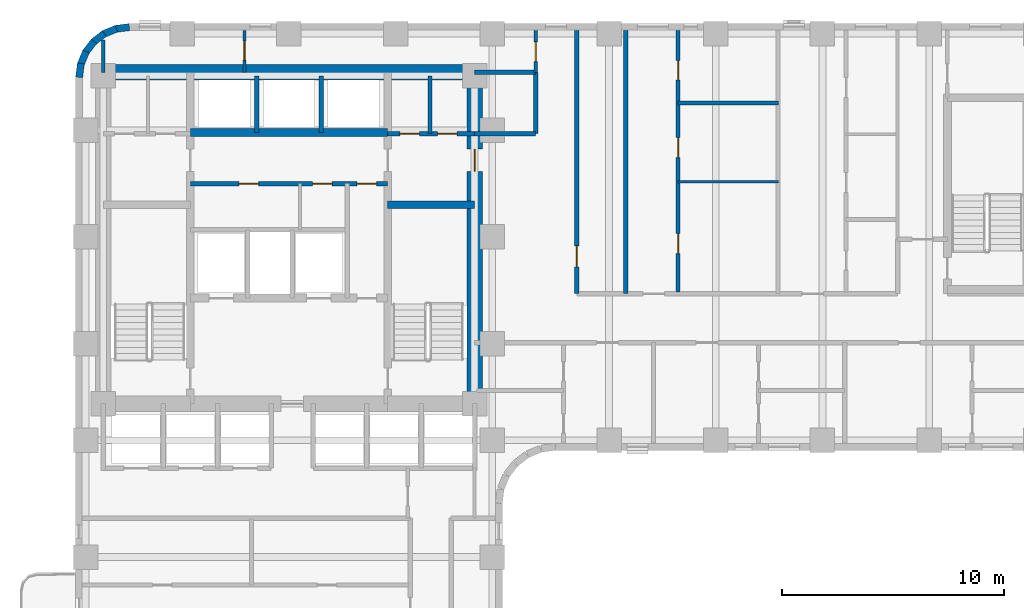
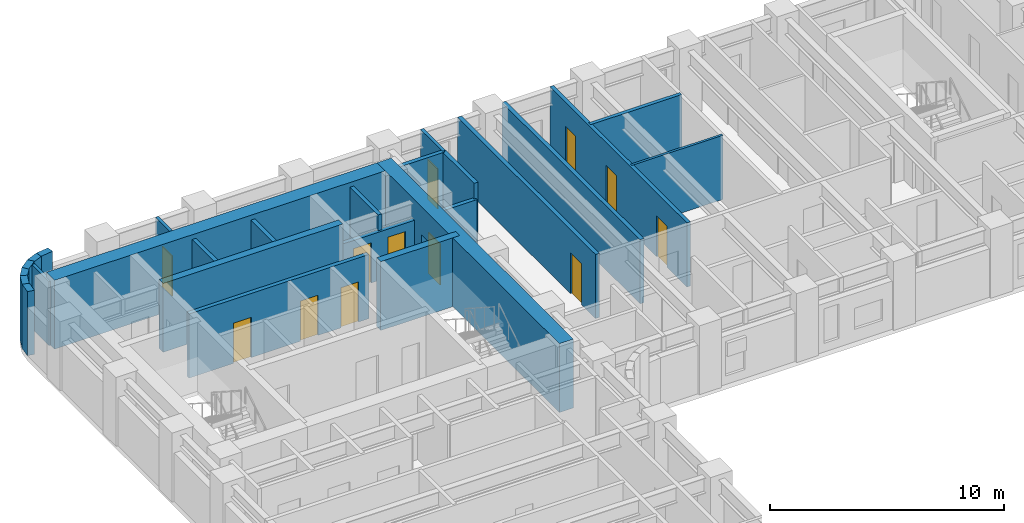
# One storey, part 6 of 11: 26 walls, 12 doors, 12 openings.
"""IFC4 building model written with IfcOpenShell, lengths in metres."""

from ifc_helpers import new_model, si_unit, direction, frame, frame_2d, origin, place, context, subcontext, project, spatial, rectangle, extrude, material, layer, layer_set, type_object, element, fill, save


model = new_model("IFC4")

# Units and contexts
model_context = context("Model", 3, precision=1e-05, world=origin(), true_north=direction((0.0, 1.0)))
body_context = subcontext(model_context, "Body", "Model", "MODEL_VIEW")
ifc_project = project(units=[si_unit("LENGTHUNIT", "METRE"), si_unit("AREAUNIT", "SQUARE_METRE"), si_unit("VOLUMEUNIT", "CUBIC_METRE"), si_unit("PLANEANGLEUNIT", "RADIAN"), si_unit("MASSUNIT", "GRAM", prefix="KILO")], contexts=[model_context])

# Site, building, storey
site_placement = place(None, origin())
site = spatial("IfcSite", under=ifc_project, at=site_placement, CompositionType="ELEMENT")
building_placement = place(site_placement, origin())
building = spatial("IfcBuilding", under=site, at=building_placement, Name="Orvandelia Arch Residences", CompositionType="ELEMENT")
storey_placement = place(building_placement, frame((0.0, 0.0, 86.199951171875)))
storey = spatial("IfcBuildingStorey", under=building, at=storey_placement, Name="L22", CompositionType="ELEMENT", Elevation=86.199951171875)

# Walls
ifc_material_1 = material(Name="Concrete C50/60", Category="concrete")
ifc_layer_1 = layer(ifc_material_1, 0.35009765625, Name="Concrete C50/60", Category="concrete")
ifc_layer_set_1 = layer_set([ifc_layer_1], Name="Concrete C50/60")
wall_type_1 = type_object("IfcWallType", Name="WL-CORE-350", PredefinedType="SHEAR", material=ifc_layer_set_1)
wall_1_placement = place(storey_placement, frame((18.840087890625, 39.85009765625, 0.0), z_axis=(0.0, 0.0, 1.0), x_axis=(1.0, 0.0, 0.0)))
element("IfcWall", 1, at=wall_1_placement, inside=storey, type_object=wall_type_1, Name="Core Shear Wall L22-HZ2", PredefinedType="SHEAR", context=body_context, shape_type="SweptSolid", body=[
    extrude(rectangle(XDim=3.909912109375, YDim=0.35009765625, at=frame_2d((1.955078125, 0.0))), origin(), (0.0, 0.0, 1.0), 3.60009765625),
])
wall_2_placement = place(storey_placement, frame((9.9599609375, 43.10009765625, 0.0), z_axis=(0.0, 0.0, 1.0), x_axis=(1.0, 0.0, 0.0)))
element("IfcWall", 2, at=wall_2_placement, inside=storey, type_object=wall_type_1, Name="Core Shear Wall L22-HZ4", PredefinedType="SHEAR", context=body_context, shape_type="SweptSolid", body=[
    extrude(rectangle(XDim=8.880126953125, YDim=0.35009765625, at=frame_2d((4.43994140625, 0.0))), origin(), (0.0, 0.0, 1.0), 3.60009765625),
])

# Wall, opening, door
ifc_material_2 = material(Name="Concrete C80/95", Category="concrete")
ifc_layer_2 = layer(ifc_material_2, 0.699951171875, Name="Concrete C80/95", Category="concrete")
ifc_layer_set_2 = layer_set([ifc_layer_2], Name="Concrete C80/95")
wall_type_2 = type_object("IfcWallType", Name="WL-CORE-700", PredefinedType="SHEAR", material=ifc_layer_set_2)
wall_3_placement = place(storey_placement, frame((22.75, 30.550048828125, 0.0), z_axis=(0.0, 0.0, 1.0), x_axis=(0.0, 1.0, 0.0)))
wall_3 = element("IfcWall", 3, at=wall_3_placement, inside=storey, type_object=wall_type_2, Name="Core Shear Wall L22-E", PredefinedType="SHEAR", context=body_context, shape_type="SweptSolid", body=[
    extrude(rectangle(XDim=15.599853515625, YDim=0.699951171875, at=frame_2d((7.7998046875, 0.0))), origin(), (0.0, 0.0, 1.0), 3.60009765625),
])
opening_1_placement = place(wall_3_placement, frame((10.800048828125, 0.0, 0.0)))
opening_1 = element("IfcOpeningElement", 4, at=opening_1_placement, cuts=wall_3, Name="Opening D6", PredefinedType="OPENING", context=body_context, shape_type="SweptSolid", body=[
    extrude(rectangle(XDim=1.0, YDim=2.14990234375, at=frame_2d((0.5, 1.074951171875))), frame((0.0, 0.35986328125, 0.0), z_axis=(0.0, -1.0, 0.0), x_axis=(1.0, 0.0, 0.0)), (0.0, 0.0, 1.0), 0.719970703125),
])
ifc_material_3 = material(Name="Smokeproof Painted Steel Fire Door", Category="steel")
door_type_1 = type_object("IfcDoorType", Name="DR-FD60-1000", OperationType="NOTDEFINED", PredefinedType="DOOR", material=ifc_material_3)
door_1_placement = place(opening_1_placement, origin())
door_1 = element("IfcDoor", 5, at=door_1_placement, inside=storey, type_object=door_type_1, Name="Core East Corridor Link Door L22", OperationType="SINGLE_SWING_LEFT", OverallHeight=2.14990234375, OverallWidth=1.0, PredefinedType="DOOR", context=body_context, shape_type="SweptSolid", body=[
    extrude(rectangle(XDim=1.0, YDim=2.14990234375, at=frame_2d((0.5, 1.074951171875))), frame((0.0, 0.02490234375, 0.0), z_axis=(0.0, -1.0, 0.0), x_axis=(1.0, 0.0, 0.0)), (0.0, 0.0, 1.0), 0.050048828125),
])
fill(opening_1, door_1)

# Walls
wall_4_placement = place(storey_placement, frame((6.050048828125, 45.800048828125, 0.0), z_axis=(0.0, 0.0, 1.0), x_axis=(1.0, 0.0, 0.0)))
element("IfcWall", 6, at=wall_4_placement, inside=storey, type_object=wall_type_2, Name="Core Shear Wall L22-N", PredefinedType="SHEAR", context=body_context, shape_type="SweptSolid", body=[
    extrude(rectangle(XDim=16.699951171875, YDim=0.699951171875, at=frame_2d((8.35009765625, 0.0))), origin(), (0.0, 0.0, 1.0), 3.60009765625),
])
ifc_material_4 = material(Name="Fire-Rated Corridor Partition")
ifc_layer_3 = layer(ifc_material_4, 0.199951171875, Name="Fire-Rated Corridor Partition")
ifc_layer_set_3 = layer_set([ifc_layer_3], Name="Fire-Rated Corridor Partition")
wall_type_3 = type_object("IfcWallType", Name="WL-CORR-200", PredefinedType="PARTITIONING", material=ifc_layer_set_3)
wall_5_placement = place(storey_placement, frame((22.75, 45.800048828125, 0.0), z_axis=(0.0, 0.0, 1.0), x_axis=(1.0, 0.0, 0.0)))
element("IfcWall", 7, at=wall_5_placement, inside=storey, type_object=wall_type_3, Name="Interior Partition Wall WL-L22-NCE-S", PredefinedType="PARTITIONING", context=body_context, shape_type="SweptSolid", body=[
    extrude(rectangle(XDim=2.75, YDim=0.199951171875, at=frame_2d((1.375, 0.0))), origin(), (0.0, 0.0, 1.0), 3.35009765625),
])

# Wall, opening, door
wall_6_placement = place(storey_placement, frame((27.35009765625, 35.85009765625, 0.0), z_axis=(0.0, 0.0, 1.0), x_axis=(0.0, 1.0, 0.0)))
wall_6 = element("IfcWall", 8, at=wall_6_placement, inside=storey, type_object=wall_type_3, Name="Interior Partition Wall WL-L22-ES-NCE", PredefinedType="PARTITIONING", context=body_context, shape_type="SweptSolid", body=[
    extrude(rectangle(XDim=11.829833984375, YDim=0.199951171875, at=frame_2d((5.9150390625, 0.0))), origin(), (0.0, 0.0, 1.0), 3.35009765625),
])
opening_2_placement = place(wall_6_placement, frame((1.199951171875, 0.0, 0.0)))
opening_2 = element("IfcOpeningElement", 9, at=opening_2_placement, cuts=wall_6, Name="Opening D2", PredefinedType="OPENING", context=body_context, shape_type="SweptSolid", body=[
    extrude(rectangle(XDim=0.949951171875, YDim=2.14990234375, at=frame_2d((0.47509765625, 1.074951171875))), frame((0.0, 0.10986328125, 0.0), z_axis=(0.0, -1.0, 0.0), x_axis=(1.0, 0.0, 0.0)), (0.0, 0.0, 1.0), 0.219970703125),
])
ifc_material_5 = material(Name="Solid-Core Timber Interior Fire Door", Category="wood")
door_type_2 = type_object("IfcDoorType", Name="DR-APT-950", OperationType="NOTDEFINED", PredefinedType="DOOR", material=ifc_material_5)
door_2_placement = place(opening_2_placement, origin())
door_2 = element("IfcDoor", 10, at=door_2_placement, inside=storey, type_object=door_type_2, Name="DR-L22-ESLDY", OperationType="SINGLE_SWING_RIGHT", OverallHeight=2.14990234375, OverallWidth=0.949951171875, PredefinedType="DOOR", context=body_context, shape_type="SweptSolid", body=[
    extrude(rectangle(XDim=0.949951171875, YDim=2.14990234375, at=frame_2d((0.47509765625, 1.074951171875))), frame((0.0, 0.02490234375, 0.0), z_axis=(0.0, -1.0, 0.0), x_axis=(1.0, 0.0, 0.0)), (0.0, 0.0, 1.0), 0.050048828125),
])
fill(opening_2, door_2)

# Walls
wall_7_placement = place(storey_placement, frame((22.75, 43.050048828125, 0.0), z_axis=(0.0, 0.0, 1.0), x_axis=(1.0, 0.0, 0.0)))
element("IfcWall", 11, at=wall_7_placement, inside=storey, type_object=wall_type_3, Name="Interior Partition Wall WL-L22-ES-LS", PredefinedType="PARTITIONING", context=body_context, shape_type="SweptSolid", body=[
    extrude(rectangle(XDim=2.75, YDim=0.199951171875, at=frame_2d((1.375, 0.0))), origin(), (0.0, 0.0, 1.0), 2.530029296875),
])
wall_8_placement = place(storey_placement, frame((25.5, 43.050048828125, 0.0), z_axis=(0.0, 0.0, 1.0), x_axis=(0.0, 1.0, 0.0)))
element("IfcWall", 12, at=wall_8_placement, inside=storey, type_object=wall_type_3, Name="Interior Partition Wall WL-L22-ES-LW2", PredefinedType="PARTITIONING", context=body_context, shape_type="SweptSolid", body=[
    extrude(rectangle(XDim=2.75, YDim=0.199951171875, at=frame_2d((1.375, 0.0))), origin(), (0.0, 0.0, 1.0), 3.35009765625),
])
ifc_material_6 = material(Name="Concrete C40/50", Category="concrete")
ifc_layer_4 = layer(ifc_material_6, 0.199951171875, Name="Concrete C40/50", Category="concrete")
ifc_layer_set_4 = layer_set([ifc_layer_4], Name="Concrete C40/50")
wall_type_4 = type_object("IfcWallType", Name="WL-DEM-200", PredefinedType="SOLIDWALL", material=ifc_layer_set_4)
wall_9_placement = place(storey_placement, frame((29.550048828125, 35.85009765625, 0.0), z_axis=(0.0, 0.0, 1.0), x_axis=(0.0, 1.0, 0.0)))
element("IfcWall", 13, at=wall_9_placement, inside=storey, type_object=wall_type_4, Name="Interior Partition Wall WL-L22-ES-LDE", PredefinedType="SOLIDWALL", context=body_context, shape_type="SweptSolid", body=[
    extrude(rectangle(XDim=11.829833984375, YDim=0.199951171875, at=frame_2d((5.9150390625, 0.0))), origin(), (0.0, 0.0, 1.0), 3.35009765625),
])
ifc_material_7 = material(Name="Precast concrete C40/50", Category="concrete")
ifc_layer_5 = layer(ifc_material_7, 0.320068359375, Name="Precast concrete C40/50", Category="concrete")
ifc_layer_set_5 = layer_set([ifc_layer_5], Name="Precast concrete C40/50")
wall_type_5 = type_object("IfcWallType", Name="WL-EXT-STONE-320", PredefinedType="STANDARD", material=ifc_layer_set_5)
for number, where, z_axis, x_axis, name in (
    (14, (4.95849609375, 45.5791015625, 0.0), (0.0, 0.0, 1.0), (0.130555323746, 0.9914410257, 0.0), "Coral-Limestone Precast Facade Wall L22-001"),
    (15, (5.029541015625, 46.159912109375, 0.0), (0.0, 0.0, 1.0), (0.382650053678, 0.92389335771, 0.0), "Coral-Limestone Precast Facade Wall L22-002"),
):
    element("IfcWall", number, at=place(storey_placement, frame(where, z_axis=z_axis, x_axis=x_axis)), inside=storey, type_object=wall_type_5, Name=name, PredefinedType="STANDARD", context=body_context, shape_type="SweptSolid", body=[
        extrude(rectangle(XDim=0.62646484375, YDim=0.320068359375, at=frame_2d((0.313232421875, 0.0))), origin(), (0.0, 0.0, 1.0), 3.35009765625),
    ])
wall_10_placement = place(storey_placement, frame((5.248291015625, 46.70263671875, 0.0), z_axis=(0.0, 0.0, 1.0), x_axis=(0.608938521285, 0.7932174212, 0.0)))
element("IfcWall", 16, at=wall_10_placement, inside=storey, type_object=wall_type_5, Name="Coral-Limestone Precast Facade Wall L22-003", PredefinedType="STANDARD", context=body_context, shape_type="SweptSolid", body=[
    extrude(rectangle(XDim=0.626708984375, YDim=0.320068359375, at=frame_2d((0.3134765625, 0.0))), origin(), (0.0, 0.0, 1.0), 3.35009765625),
])
wall_11_placement = place(storey_placement, frame((5.600341796875, 47.170166015625, 0.0), z_axis=(0.0, 0.0, 1.0), x_axis=(0.793405610854, 0.608693302629, 0.0)))
element("IfcWall", 17, at=wall_11_placement, inside=storey, type_object=wall_type_5, Name="Coral-Limestone Precast Facade Wall L22-004", PredefinedType="STANDARD", context=body_context, shape_type="SweptSolid", body=[
    extrude(rectangle(XDim=0.62646484375, YDim=0.320068359375, at=frame_2d((0.313232421875, 0.0))), origin(), (0.0, 0.0, 1.0), 3.35009765625),
])
wall_12_placement = place(storey_placement, frame((6.061279296875, 47.53076171875, 0.0), z_axis=(0.0, 0.0, 1.0), x_axis=(0.923836271867, 0.382787856107, 0.0)))
element("IfcWall", 18, at=wall_12_placement, inside=storey, type_object=wall_type_5, Name="Coral-Limestone Precast Facade Wall L22-005", PredefinedType="STANDARD", context=body_context, shape_type="SweptSolid", body=[
    extrude(rectangle(XDim=0.626220703125, YDim=0.320068359375, at=frame_2d((0.31298828125, 0.0))), origin(), (0.0, 0.0, 1.0), 3.35009765625),
])
wall_13_placement = place(storey_placement, frame((6.599609375, 47.759521484375, 0.0), z_axis=(0.0, 0.0, 1.0), x_axis=(0.991447664465, 0.130504898859, 0.0)))
element("IfcWall", 19, at=wall_13_placement, inside=storey, type_object=wall_type_5, Name="Coral-Limestone Precast Facade Wall L22-006", PredefinedType="STANDARD", context=body_context, shape_type="SweptSolid", body=[
    extrude(rectangle(XDim=0.626708984375, YDim=0.320068359375, at=frame_2d((0.3134765625, 0.0))), origin(), (0.0, 0.0, 1.0), 3.35009765625),
])
ifc_material_8 = material(Name="Lightweight Gypsum Stud Partition")
ifc_layer_6 = layer(ifc_material_8, 0.1201171875, Name="Lightweight Gypsum Stud Partition")
ifc_layer_set_6 = layer_set([ifc_layer_6], Name="Lightweight Gypsum Stud Partition")
wall_type_6 = type_object("IfcWallType", Name="WL-PART-120", PredefinedType="PARTITIONING", material=ifc_layer_set_6)
wall_14_placement = place(storey_placement, frame((31.909912109375, 40.889892578125, 0.0), z_axis=(0.0, 0.0, 1.0), x_axis=(1.0, 0.0, 0.0)))
element("IfcWall", 20, at=wall_14_placement, inside=storey, type_object=wall_type_6, Name="Interior Partition Wall WL-L22-U09-H1", PredefinedType="PARTITIONING", context=body_context, shape_type="SweptSolid", body=[
    extrude(rectangle(XDim=4.510009765625, YDim=0.1201171875, at=frame_2d((2.2548828125, 0.0))), origin(), (0.0, 0.0, 1.0), 3.35009765625),
])

# Wall, opening, door
ifc_material_9 = material(Name="Acoustic Gypsum Stud Partition")
ifc_layer_7 = layer(ifc_material_9, 0.14990234375, Name="Acoustic Gypsum Stud Partition")
ifc_layer_set_7 = layer_set([ifc_layer_7], Name="Acoustic Gypsum Stud Partition")
wall_type_7 = type_object("IfcWallType", Name="WL-PART-150", PredefinedType="PARTITIONING", material=ifc_layer_set_7)
wall_15_placement = place(storey_placement, frame((25.5, 45.800048828125, 0.0), z_axis=(0.0, 0.0, 1.0), x_axis=(0.0, 1.0, 0.0)))
wall_15 = element("IfcWall", 21, at=wall_15_placement, inside=storey, type_object=wall_type_7, Name="Interior Partition Wall WL-L22-NCE-W", PredefinedType="PARTITIONING", context=body_context, shape_type="SweptSolid", body=[
    extrude(rectangle(XDim=1.8798828125, YDim=0.14990234375, at=frame_2d((0.93994140625, 0.0))), origin(), (0.0, 0.0, 1.0), 3.35009765625),
])
opening_3_placement = place(wall_15_placement, frame((0.5, 0.0, 0.0)))
opening_3 = element("IfcOpeningElement", 22, at=opening_3_placement, cuts=wall_15, Name="Opening D5", PredefinedType="OPENING", context=body_context, shape_type="SweptSolid", body=[
    extrude(rectangle(XDim=0.8798828125, YDim=2.10009765625, at=frame_2d((0.43994140625, 1.050048828125))), frame((0.0, 0.0849609375, 0.0), z_axis=(0.0, -1.0, 0.0), x_axis=(1.0, 0.0, 0.0)), (0.0, 0.0, 1.0), 0.169921875),
])
ifc_material_10 = material(Name="Painted Galvanised Steel Service Door", Category="steel")
door_type_3 = type_object("IfcDoorType", Name="DR-SRV-880", OperationType="NOTDEFINED", PredefinedType="DOOR", material=ifc_material_10)
door_3_placement = place(opening_3_placement, origin())
door_3 = element("IfcDoor", 23, at=door_3_placement, inside=storey, type_object=door_type_3, Name="DR-L22-NCS2", OperationType="SINGLE_SWING_LEFT", OverallHeight=2.10009765625, OverallWidth=0.8798828125, PredefinedType="DOOR", context=body_context, shape_type="SweptSolid", body=[
    extrude(rectangle(XDim=0.8798828125, YDim=2.10009765625, at=frame_2d((0.43994140625, 1.050048828125))), frame((0.0, 0.02490234375, 0.0), z_axis=(0.0, -1.0, 0.0), x_axis=(1.0, 0.0, 0.0)), (0.0, 0.0, 1.0), 0.050048828125),
])
fill(opening_3, door_3)

# Wall
wall_16_placement = place(storey_placement, frame((6.050048828125, 45.800048828125, 0.0), z_axis=(0.0, 0.0, 1.0), x_axis=(0.0, 1.0, 0.0)))
element("IfcWall", 24, at=wall_16_placement, inside=storey, type_object=wall_type_7, Name="Interior Partition Wall WL-L22-NC-W6", PredefinedType="PARTITIONING", context=body_context, shape_type="SweptSolid", body=[
    extrude(rectangle(XDim=1.4599609375, YDim=0.14990234375, at=frame_2d((0.72998046875, 0.0))), origin(), (0.0, 0.0, 1.0), 3.35009765625),
])

# Wall, opening, door
wall_17_placement = place(storey_placement, frame((12.39990234375, 45.800048828125, 0.0), z_axis=(0.0, 0.0, 1.0), x_axis=(0.0, 1.0, 0.0)))
wall_17 = element("IfcWall", 25, at=wall_17_placement, inside=storey, type_object=wall_type_7, Name="Interior Partition Wall WL-L22-NC-M", PredefinedType="PARTITIONING", context=body_context, shape_type="SweptSolid", body=[
    extrude(rectangle(XDim=1.8798828125, YDim=0.14990234375, at=frame_2d((0.93994140625, 0.0))), origin(), (0.0, 0.0, 1.0), 3.35009765625),
])
opening_4_placement = place(wall_17_placement, frame((0.550048828125, 0.0, 0.0)))
opening_4 = element("IfcOpeningElement", 26, at=opening_4_placement, cuts=wall_17, Name="Opening D4", PredefinedType="OPENING", context=body_context, shape_type="SweptSolid", body=[
    extrude(rectangle(XDim=0.860107421875, YDim=2.10009765625, at=frame_2d((0.43017578125, 1.050048828125))), frame((0.0, 0.0849609375, 0.0), z_axis=(0.0, -1.0, 0.0), x_axis=(1.0, 0.0, 0.0)), (0.0, 0.0, 1.0), 0.169921875),
])
ifc_material_11 = material(Name="Moisture-Sealed Timber Bathroom Door", Category="wood")
door_type_4 = type_object("IfcDoorType", Name="DR-WET-900", OperationType="NOTDEFINED", PredefinedType="DOOR", material=ifc_material_11)
door_4_placement = place(opening_4_placement, origin())
door_4 = element("IfcDoor", 27, at=door_4_placement, inside=storey, type_object=door_type_4, Name="DR-L22-NCS1", OperationType="SINGLE_SWING_LEFT", OverallHeight=2.10009765625, OverallWidth=0.860107421875, PredefinedType="DOOR", context=body_context, shape_type="SweptSolid", body=[
    extrude(rectangle(XDim=0.860107421875, YDim=2.10009765625, at=frame_2d((0.43017578125, 1.050048828125))), frame((0.0, 0.02490234375, 0.0), z_axis=(0.0, -1.0, 0.0), x_axis=(1.0, 0.0, 0.0)), (0.0, 0.0, 1.0), 0.050048828125),
])
fill(opening_4, door_4)

# Wall, openings, doors
ifc_material_12 = material(Name="Fire-Rated Shaft Enclosure Wall")
ifc_layer_8 = layer(ifc_material_12, 0.199951171875, Name="Fire-Rated Shaft Enclosure Wall")
ifc_layer_set_8 = layer_set([ifc_layer_8], Name="Fire-Rated Shaft Enclosure Wall")
wall_type_8 = type_object("IfcWallType", Name="WL-SHAFT-200", PredefinedType="POLYGONAL", material=ifc_layer_set_8)
wall_18_placement = place(storey_placement, frame((9.9599609375, 40.800048828125, 0.0), z_axis=(0.0, 0.0, 1.0), x_axis=(1.0, 0.0, 0.0)))
wall_18 = element("IfcWall", 28, at=wall_18_placement, inside=storey, type_object=wall_type_8, Name="Interior Partition Wall WL-L22-HLH-S", PredefinedType="POLYGONAL", context=body_context, shape_type="SweptSolid", body=[
    extrude(rectangle(XDim=8.880126953125, YDim=0.199951171875, at=frame_2d((4.43994140625, 0.0))), origin(), (0.0, 0.0, 1.0), 3.35009765625),
])
opening_5_placement = place(wall_18_placement, frame((7.5, 0.0, 0.0)))
opening_5 = element("IfcOpeningElement", 29, at=opening_5_placement, cuts=wall_18, Name="Opening D5", PredefinedType="OPENING", context=body_context, shape_type="SweptSolid", body=[
    extrude(rectangle(XDim=0.8798828125, YDim=2.10009765625, at=frame_2d((0.43994140625, 1.050048828125))), frame((0.0, 0.10986328125, 0.0), z_axis=(0.0, -1.0, 0.0), x_axis=(1.0, 0.0, 0.0)), (0.0, 0.0, 1.0), 0.219970703125),
])
opening_6_placement = place(wall_18_placement, frame((2.199951171875, 0.0, 0.0)))
opening_6 = element("IfcOpeningElement", 30, at=opening_6_placement, cuts=wall_18, Name="Opening D5", PredefinedType="OPENING", context=body_context, shape_type="SweptSolid", body=[
    extrude(rectangle(XDim=0.8798828125, YDim=2.10009765625, at=frame_2d((0.43994140625, 1.050048828125))), frame((0.0, 0.10986328125, 0.0), z_axis=(0.0, -1.0, 0.0), x_axis=(1.0, 0.0, 0.0)), (0.0, 0.0, 1.0), 0.219970703125),
])
opening_7_placement = place(wall_18_placement, frame((5.5, 0.0, 0.0)))
opening_7 = element("IfcOpeningElement", 31, at=opening_7_placement, cuts=wall_18, Name="Opening D5", PredefinedType="OPENING", context=body_context, shape_type="SweptSolid", body=[
    extrude(rectangle(XDim=0.8798828125, YDim=2.10009765625, at=frame_2d((0.43994140625, 1.050048828125))), frame((0.0, 0.10986328125, 0.0), z_axis=(0.0, -1.0, 0.0), x_axis=(1.0, 0.0, 0.0)), (0.0, 0.0, 1.0), 0.219970703125),
])
door_5_placement = place(opening_5_placement, origin())
door_5 = element("IfcDoor", 32, at=door_5_placement, inside=storey, type_object=door_type_3, Name="Core Stairway Passage North Fire Door L22", OperationType="SINGLE_SWING_RIGHT", OverallHeight=2.10009765625, OverallWidth=0.8798828125, PredefinedType="DOOR", context=body_context, shape_type="SweptSolid", body=[
    extrude(rectangle(XDim=0.8798828125, YDim=2.10009765625, at=frame_2d((0.43994140625, 1.050048828125))), frame((0.0, 0.02490234375, 0.0), z_axis=(0.0, -1.0, 0.0), x_axis=(1.0, 0.0, 0.0)), (0.0, 0.0, 1.0), 0.050048828125),
])
fill(opening_5, door_5)
door_6_placement = place(opening_6_placement, origin())
door_6 = element("IfcDoor", 33, at=door_6_placement, inside=storey, type_object=door_type_3, Name="DR-L22-CSA1", OperationType="SINGLE_SWING_RIGHT", OverallHeight=2.10009765625, OverallWidth=0.8798828125, PredefinedType="DOOR", context=body_context, shape_type="SweptSolid", body=[
    extrude(rectangle(XDim=0.8798828125, YDim=2.10009765625, at=frame_2d((0.43994140625, 1.050048828125))), frame((0.0, 0.02490234375, 0.0), z_axis=(0.0, -1.0, 0.0), x_axis=(1.0, 0.0, 0.0)), (0.0, 0.0, 1.0), 0.050048828125),
])
fill(opening_6, door_6)
door_7_placement = place(opening_7_placement, origin())
door_7 = element("IfcDoor", 34, at=door_7_placement, inside=storey, type_object=door_type_3, Name="DR-L22-CSA2", OperationType="SINGLE_SWING_LEFT", OverallHeight=2.10009765625, OverallWidth=0.8798828125, PredefinedType="DOOR", context=body_context, shape_type="SweptSolid", body=[
    extrude(rectangle(XDim=0.8798828125, YDim=2.10009765625, at=frame_2d((0.43994140625, 1.050048828125))), frame((0.0, 0.02490234375, 0.0), z_axis=(0.0, -1.0, 0.0), x_axis=(1.0, 0.0, 0.0)), (0.0, 0.0, 1.0), 0.050048828125),
])
fill(opening_7, door_7)

wall_19_placement = place(storey_placement, frame((18.840087890625, 43.050048828125, 0.0), z_axis=(0.0, 0.0, 1.0), x_axis=(1.0, 0.0, 0.0)))
wall_19 = element("IfcWall", 35, at=wall_19_placement, inside=storey, type_object=wall_type_8, Name="Interior Partition Wall WL-L22-HLE-N", PredefinedType="POLYGONAL", context=body_context, shape_type="SweptSolid", body=[
    extrude(rectangle(XDim=3.909912109375, YDim=0.199951171875, at=frame_2d((1.955078125, 0.0))), origin(), (0.0, 0.0, 1.0), 2.530029296875),
])
opening_8_placement = place(wall_19_placement, frame((0.550048828125, 0.0, 0.0)))
opening_8 = element("IfcOpeningElement", 36, at=opening_8_placement, cuts=wall_19, Name="Opening D5", PredefinedType="OPENING", context=body_context, shape_type="SweptSolid", body=[
    extrude(rectangle(XDim=0.8798828125, YDim=2.10009765625, at=frame_2d((0.43994140625, 1.050048828125))), frame((0.0, 0.10986328125, 0.0), z_axis=(0.0, -1.0, 0.0), x_axis=(1.0, 0.0, 0.0)), (0.0, 0.0, 1.0), 0.219970703125),
])
opening_9_placement = place(wall_19_placement, frame((2.25, 0.0, 0.0)))
opening_9 = element("IfcOpeningElement", 37, at=opening_9_placement, cuts=wall_19, Name="Opening D4", PredefinedType="OPENING", context=body_context, shape_type="SweptSolid", body=[
    extrude(rectangle(XDim=0.860107421875, YDim=2.10009765625, at=frame_2d((0.43017578125, 1.050048828125))), frame((0.0, 0.10986328125, 0.0), z_axis=(0.0, -1.0, 0.0), x_axis=(1.0, 0.0, 0.0)), (0.0, 0.0, 1.0), 0.219970703125),
])
door_8_placement = place(opening_8_placement, origin())
door_8 = element("IfcDoor", 38, at=door_8_placement, inside=storey, type_object=door_type_3, Name="DR-L22-CSB1", OperationType="SINGLE_SWING_LEFT", OverallHeight=2.10009765625, OverallWidth=0.8798828125, PredefinedType="DOOR", context=body_context, shape_type="SweptSolid", body=[
    extrude(rectangle(XDim=0.8798828125, YDim=2.10009765625, at=frame_2d((0.43994140625, 1.050048828125))), frame((0.0, 0.02490234375, 0.0), z_axis=(0.0, -1.0, 0.0), x_axis=(1.0, 0.0, 0.0)), (0.0, 0.0, 1.0), 0.050048828125),
])
fill(opening_8, door_8)
door_9_placement = place(opening_9_placement, origin())
door_9 = element("IfcDoor", 39, at=door_9_placement, inside=storey, type_object=door_type_4, Name="DR-L22-CSB2", OperationType="SINGLE_SWING_LEFT", OverallHeight=2.10009765625, OverallWidth=0.860107421875, PredefinedType="DOOR", context=body_context, shape_type="SweptSolid", body=[
    extrude(rectangle(XDim=0.860107421875, YDim=2.10009765625, at=frame_2d((0.43017578125, 1.050048828125))), frame((0.0, 0.02490234375, 0.0), z_axis=(0.0, -1.0, 0.0), x_axis=(1.0, 0.0, 0.0)), (0.0, 0.0, 1.0), 0.050048828125),
])
fill(opening_9, door_9)

# Walls
for number, where, z_axis, x_axis, name in (
    (40, (12.949951171875, 43.10009765625, 0.0), (0.0, 0.0, 1.0), (0.0, 1.0, 0.0), "Interior Partition Wall WL-L22-PHD1"),
    (41, (15.85009765625, 43.10009765625, 0.0), (0.0, 0.0, 1.0), (0.0, 1.0, 0.0), "Interior Partition Wall WL-L22-PHD2"),
):
    element("IfcWall", number, at=place(storey_placement, frame(where, z_axis=z_axis, x_axis=x_axis)), inside=storey, type_object=wall_type_8, Name=name, PredefinedType="POLYGONAL", context=body_context, shape_type="SweptSolid", body=[
        extrude(rectangle(XDim=2.5498046875, YDim=0.199951171875, at=frame_2d((1.27490234375, 0.0))), origin(), (0.0, 0.0, 1.0), 3.35009765625),
    ])
ifc_material_13 = material(Name="Moisture-Resistant Plumbing Wall")
ifc_layer_9 = layer(ifc_material_13, 0.179931640625, Name="Moisture-Resistant Plumbing Wall")
ifc_layer_set_9 = layer_set([ifc_layer_9], Name="Moisture-Resistant Plumbing Wall")
wall_type_9 = type_object("IfcWallType", Name="WL-WET-180", PredefinedType="PLUMBINGWALL", material=ifc_layer_set_9)
wall_20_placement = place(storey_placement, frame((20.75, 43.050048828125, 0.0), z_axis=(0.0, 0.0, 1.0), x_axis=(0.0, 1.0, 0.0)))
element("IfcWall", 42, at=wall_20_placement, inside=storey, type_object=wall_type_9, Name="Interior Partition Wall WL-L22-CSB-1", PredefinedType="PLUMBINGWALL", context=body_context, shape_type="SweptSolid", body=[
    extrude(rectangle(XDim=2.599853515625, YDim=0.179931640625, at=frame_2d((1.2998046875, 0.0))), origin(), (0.0, 0.0, 1.0), 3.35009765625),
])

# Wall, openings, doors
wall_21_placement = place(storey_placement, frame((31.909912109375, 35.929931640625, 0.0), z_axis=(0.0, 0.0, 1.0), x_axis=(0.0, 1.0, 0.0)))
wall_21 = element("IfcWall", 43, at=wall_21_placement, inside=storey, type_object=wall_type_9, Name="Interior Partition Wall WL-L22-U09-VT", PredefinedType="PLUMBINGWALL", context=body_context, shape_type="SweptSolid", body=[
    extrude(rectangle(XDim=11.75, YDim=0.179931640625, at=frame_2d((5.875, 0.0))), origin(), (0.0, 0.0, 1.0), 3.35009765625),
])
opening_10_placement = place(wall_21_placement, frame((1.714599609375, 0.0, 0.0)))
opening_10 = element("IfcOpeningElement", 44, at=opening_10_placement, cuts=wall_21, Name="Opening D3", PredefinedType="OPENING", context=body_context, shape_type="SweptSolid", body=[
    extrude(rectangle(XDim=0.89990234375, YDim=2.14990234375, at=frame_2d((0.449951171875, 1.074951171875))), frame((0.0, 0.10009765625, 0.0), z_axis=(0.0, -1.0, 0.0), x_axis=(1.0, 0.0, 0.0)), (0.0, 0.0, 1.0), 0.199951171875),
])
opening_11_placement = place(wall_21_placement, frame((6.036865234375, 0.0, 0.0)))
opening_11 = element("IfcOpeningElement", 45, at=opening_11_placement, cuts=wall_21, Name="Opening D3", PredefinedType="OPENING", context=body_context, shape_type="SweptSolid", body=[
    extrude(rectangle(XDim=0.89990234375, YDim=2.14990234375, at=frame_2d((0.449951171875, 1.074951171875))), frame((0.0, 0.10009765625, 0.0), z_axis=(0.0, -1.0, 0.0), x_axis=(1.0, 0.0, 0.0)), (0.0, 0.0, 1.0), 0.199951171875),
])
opening_12_placement = place(wall_21_placement, frame((9.541259765625, 0.0, 0.0)))
opening_12 = element("IfcOpeningElement", 46, at=opening_12_placement, cuts=wall_21, Name="Opening D4", PredefinedType="OPENING", context=body_context, shape_type="SweptSolid", body=[
    extrude(rectangle(XDim=0.860107421875, YDim=2.10009765625, at=frame_2d((0.43017578125, 1.050048828125))), frame((0.0, 0.10009765625, 0.0), z_axis=(0.0, -1.0, 0.0), x_axis=(1.0, 0.0, 0.0)), (0.0, 0.0, 1.0), 0.199951171875),
])
ifc_material_14 = material(Name="Engineered Timber Flush Door", Category="wood")
door_type_5 = type_object("IfcDoorType", Name="DR-INT-900", OperationType="NOTDEFINED", PredefinedType="DOOR", material=ifc_material_14)
door_10_placement = place(opening_10_placement, origin())
door_10 = element("IfcDoor", 47, at=door_10_placement, inside=storey, type_object=door_type_5, Name="DR-L22-U09-STDY", OperationType="SINGLE_SWING_LEFT", OverallHeight=2.14990234375, OverallWidth=0.89990234375, PredefinedType="DOOR", context=body_context, shape_type="SweptSolid", body=[
    extrude(rectangle(XDim=0.89990234375, YDim=2.14990234375, at=frame_2d((0.449951171875, 1.074951171875))), frame((0.0, 0.02490234375, 0.0), z_axis=(0.0, -1.0, 0.0), x_axis=(1.0, 0.0, 0.0)), (0.0, 0.0, 1.0), 0.050048828125),
])
fill(opening_10, door_10)
door_11_placement = place(opening_11_placement, origin())
door_11 = element("IfcDoor", 48, at=door_11_placement, inside=storey, type_object=door_type_5, Name="DR-L22-U09-KIT", OperationType="SINGLE_SWING_RIGHT", OverallHeight=2.14990234375, OverallWidth=0.89990234375, PredefinedType="DOOR", context=body_context, shape_type="SweptSolid", body=[
    extrude(rectangle(XDim=0.89990234375, YDim=2.14990234375, at=frame_2d((0.449951171875, 1.074951171875))), frame((0.0, 0.02490234375, 0.0), z_axis=(0.0, -1.0, 0.0), x_axis=(1.0, 0.0, 0.0)), (0.0, 0.0, 1.0), 0.050048828125),
])
fill(opening_11, door_11)
door_12_placement = place(opening_12_placement, origin())
door_12 = element("IfcDoor", 49, at=door_12_placement, inside=storey, type_object=door_type_4, Name="DR-L22-U09-BTH", OperationType="SINGLE_SWING_LEFT", OverallHeight=2.10009765625, OverallWidth=0.860107421875, PredefinedType="DOOR", context=body_context, shape_type="SweptSolid", body=[
    extrude(rectangle(XDim=0.860107421875, YDim=2.10009765625, at=frame_2d((0.43017578125, 1.050048828125))), frame((0.0, 0.02490234375, 0.0), z_axis=(0.0, -1.0, 0.0), x_axis=(1.0, 0.0, 0.0)), (0.0, 0.0, 1.0), 0.050048828125),
])
fill(opening_12, door_12)

# Wall
wall_22_placement = place(storey_placement, frame((31.909912109375, 44.43310546875, 0.0), z_axis=(0.0, 0.0, 1.0), x_axis=(1.0, 0.0, 0.0)))
element("IfcWall", 50, at=wall_22_placement, inside=storey, type_object=wall_type_9, Name="Interior Partition Wall WL-L22-U09-H2", PredefinedType="PLUMBINGWALL", context=body_context, shape_type="SweptSolid", body=[
    extrude(rectangle(XDim=4.510009765625, YDim=0.179931640625, at=frame_2d((2.2548828125, 0.0))), origin(), (0.0, 0.0, 1.0), 3.35009765625),
])

save(model, "model.ifc")
